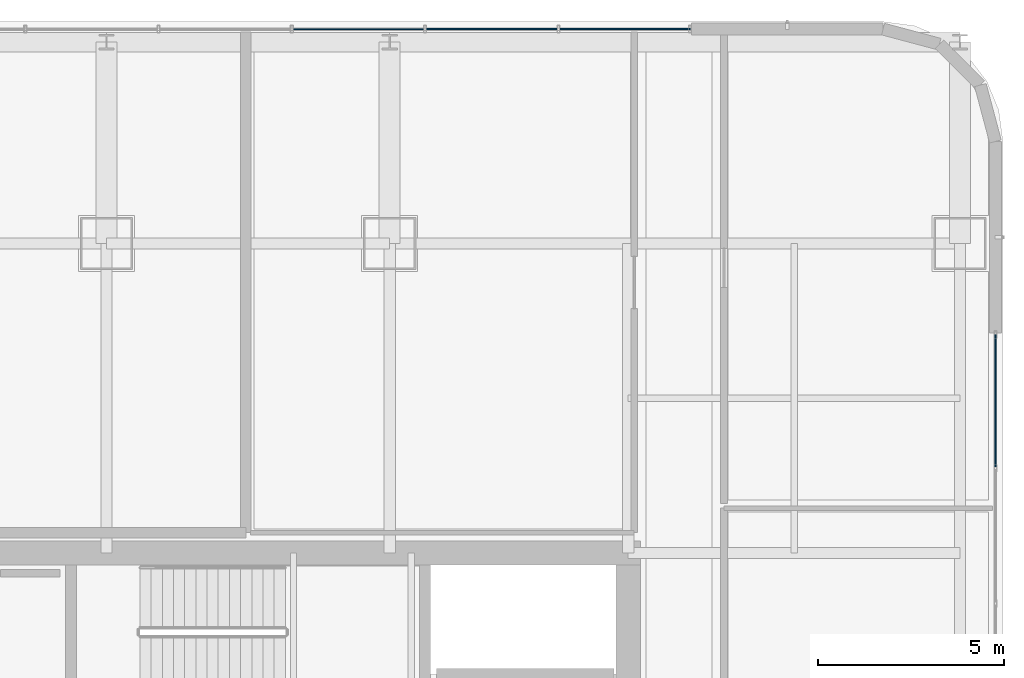
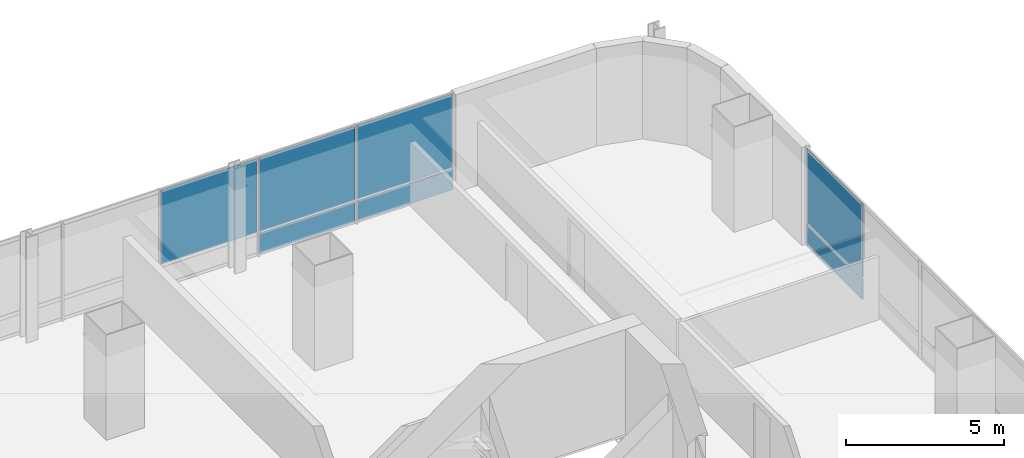
# One storey, part 30 of 47: 7 plates, 2 elements without a shape of their own.
"""IFC4 building model written with IfcOpenShell, lengths in metres."""

from ifc_helpers import new_model, si_unit, direction, frame, origin, origin_2d, place, context, subcontext, project, spatial, rectangle, extrude, material, layer, layer_set, type_object, element, aggregate, save


model = new_model("IFC4")

# Units and contexts
model_context = context("Model", 3, precision=1e-05, world=origin(), true_north=direction((0.0, 1.0)))
body_context = subcontext(model_context, "Body", "Model", "MODEL_VIEW")
ifc_project = project(units=[si_unit("LENGTHUNIT", "METRE"), si_unit("AREAUNIT", "SQUARE_METRE"), si_unit("VOLUMEUNIT", "CUBIC_METRE"), si_unit("PLANEANGLEUNIT", "RADIAN"), si_unit("MASSUNIT", "GRAM", prefix="KILO")], contexts=[model_context])

# Site, building, storey
site_placement = place(None, origin())
site = spatial("IfcSite", under=ifc_project, at=site_placement, CompositionType="ELEMENT")
building_placement = place(site_placement, origin())
building = spatial("IfcBuilding", under=site, at=building_placement, Name="Punatoya Terracotta Tower", CompositionType="ELEMENT")
storey_placement = place(building_placement, frame((0.0, 0.0, 168.14990234375)))
storey = spatial("IfcBuildingStorey", under=building, at=storey_placement, Name="L39", CompositionType="ELEMENT", Elevation=168.14990234375)

# Curtain wall, plate
ifc_material_1 = material(Name="Aluminium 6063-T6 + Double Low-E Glass", Category="aluminium")
curtain_wall_type = type_object("IfcCurtainWallType", Name="CW-M2", PredefinedType="NOTDEFINED", material=ifc_material_1)
curtain_wall_1_placement = place(storey_placement, origin())
curtain_wall_1 = element("IfcCurtainWall", 1, at=curtain_wall_1_placement, inside=storey, type_object=curtain_wall_type, Name="L39 Curtain Wall CW-L39-E05-1", PredefinedType="NOTDEFINED")
ifc_material_2 = material(Name="Double Low-E Acoustic Vision Glass", Category="glass")
ifc_layer_1 = layer(ifc_material_2, 0.031982421875)
ifc_layer_set_1 = layer_set([ifc_layer_1], Name="Double Low-E Acoustic Vision Glass")
plate_type_1 = type_object("IfcPlateType", Name="PLT-GLZ-32", PredefinedType="CURTAIN_PANEL", material=ifc_layer_set_1)
plate_1_placement = place(storey_placement, frame((20.050048828125, 13.28564453125, 0.89013671875), z_axis=(0.0, 0.0, 1.0), x_axis=(0.0, 1.0, 0.0)))
plate_1 = element("IfcPlate", 2, at=plate_1_placement, type_object=plate_type_1, Name="CW-L39-E05-1 Vision Glass Panel 7", PredefinedType="CURTAIN_PANEL", context=body_context, shape_type="SweptSolid", body=[
    extrude(rectangle(XDim=3.543701171875, YDim=0.031982421875, at=origin_2d()), origin(), (0.0, 0.0, 1.0), 2.840087890625),
])

# Curtain wall, plates
curtain_wall_2_placement = place(storey_placement, origin())
curtain_wall_2 = element("IfcCurtainWall", 3, at=curtain_wall_2_placement, inside=storey, type_object=curtain_wall_type, Name="L39 Curtain Wall CW-L39-N09-1", PredefinedType="NOTDEFINED")
plate_2_placement = place(storey_placement, frame((10.112548828125, 23.25, 0.89013671875), z_axis=(0.0, 0.0, 1.0), x_axis=(-1.0, 0.0, 0.0)))
plate_2 = element("IfcPlate", 4, at=plate_2_placement, type_object=plate_type_1, Name="CW-L39-N09-1 Vision Glass Panel 1", PredefinedType="CURTAIN_PANEL", context=body_context, shape_type="SweptSolid", body=[
    extrude(rectangle(XDim=3.489990234375, YDim=0.031982421875, at=origin_2d()), origin(), (0.0, 0.0, 1.0), 2.840087890625),
])
plate_3_placement = place(storey_placement, frame((6.53759765625, 23.25, 0.89013671875), z_axis=(0.0, 0.0, 1.0), x_axis=(-1.0, 0.0, 0.0)))
plate_3 = element("IfcPlate", 5, at=plate_3_placement, type_object=plate_type_1, Name="CW-L39-N09-1 Vision Glass Panel 2", PredefinedType="CURTAIN_PANEL", context=body_context, shape_type="SweptSolid", body=[
    extrude(rectangle(XDim=3.489990234375, YDim=0.031982421875, at=origin_2d()), origin(), (0.0, 0.0, 1.0), 2.840087890625),
])
plate_4_placement = place(storey_placement, frame((2.96240234375, 23.25, 0.89013671875), z_axis=(0.0, 0.0, 1.0), x_axis=(-1.0, 0.0, 0.0)))
plate_4 = element("IfcPlate", 6, at=plate_4_placement, type_object=plate_type_1, Name="CW-L39-N09-1 Vision Glass Panel 3", PredefinedType="CURTAIN_PANEL", context=body_context, shape_type="SweptSolid", body=[
    extrude(rectangle(XDim=3.489990234375, YDim=0.031982421875, at=origin_2d()), origin(), (0.0, 0.0, 1.0), 2.840087890625),
])

# Plate
ifc_material_3 = material(Name="Insulated Terracotta-Backed Spandrel Panel", Category="masonry")
ifc_layer_2 = layer(ifc_material_3, 0.044921875)
ifc_layer_set_2 = layer_set([ifc_layer_2], Name="Insulated Terracotta-Backed Spandrel Panel")
plate_type_2 = type_object("IfcPlateType", Name="PLT-SPN-45", PredefinedType="CURTAIN_PANEL", material=ifc_layer_set_2)
plate_5_placement = place(storey_placement, frame((20.050048828125, 13.28564453125, 0.0400390625), z_axis=(0.0, 0.0, 1.0), x_axis=(0.0, 1.0, 0.0)))
plate_5 = element("IfcPlate", 7, at=plate_5_placement, type_object=plate_type_2, Name="CW-L39-E05-1 Terracotta Spandrel Panel 7", PredefinedType="CURTAIN_PANEL", context=body_context, shape_type="SweptSolid", body=[
    extrude(rectangle(XDim=3.543701171875, YDim=0.044921875, at=origin_2d()), origin(), (0.0, 0.0, 1.0), 0.77490234375),
])

aggregate(curtain_wall_1, [plate_5, plate_1])

plate_6_placement = place(storey_placement, frame((10.112548828125, 23.25, 0.0400390625), z_axis=(0.0, 0.0, 1.0), x_axis=(-1.0, 0.0, 0.0)))
plate_6 = element("IfcPlate", 8, at=plate_6_placement, type_object=plate_type_2, Name="CW-L39-N09-1 Terracotta Spandrel Panel 1", PredefinedType="CURTAIN_PANEL", context=body_context, shape_type="SweptSolid", body=[
    extrude(rectangle(XDim=3.489990234375, YDim=0.044921875, at=origin_2d()), origin(), (0.0, 0.0, 1.0), 0.77490234375),
])

plate_7_placement = place(storey_placement, frame((6.53759765625, 23.25, 0.0400390625), z_axis=(0.0, 0.0, 1.0), x_axis=(-1.0, 0.0, 0.0)))
plate_7 = element("IfcPlate", 9, at=plate_7_placement, type_object=plate_type_2, Name="CW-L39-N09-1 Terracotta Spandrel Panel 2", PredefinedType="CURTAIN_PANEL", context=body_context, shape_type="SweptSolid", body=[
    extrude(rectangle(XDim=3.489990234375, YDim=0.044921875, at=origin_2d()), origin(), (0.0, 0.0, 1.0), 0.77490234375),
])

aggregate(curtain_wall_2, [plate_6, plate_2, plate_7, plate_3, plate_4])

save(model, "model.ifc")
